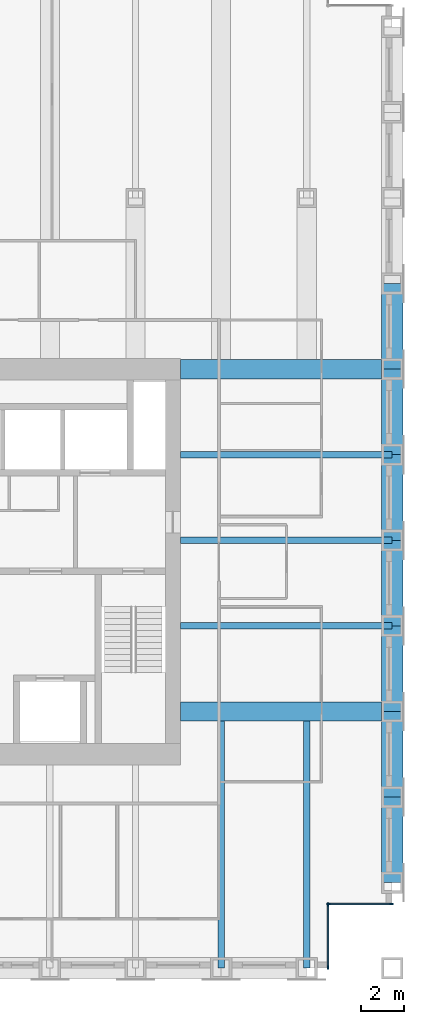
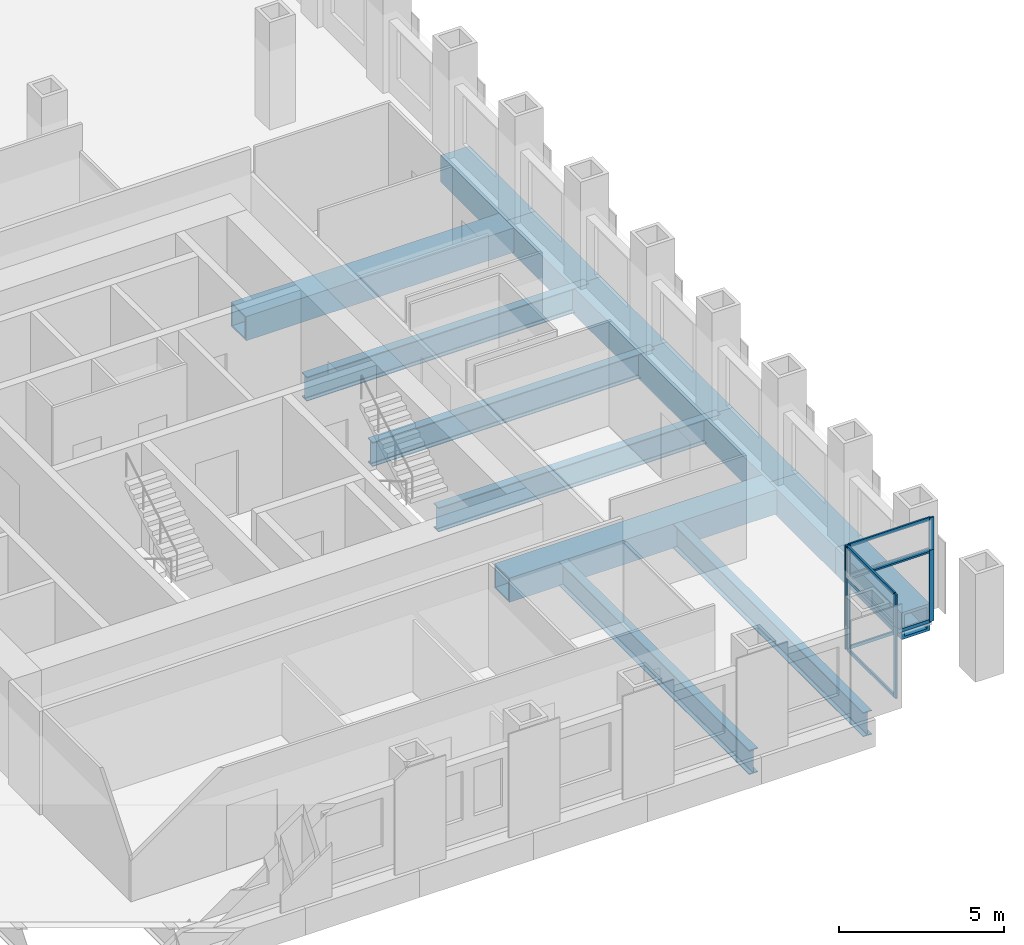
# One storey, part 4 of 13: 16 members, 14 beams, 4 elements without a shape of their own.
"""IFC4 building model written with IfcOpenShell, lengths in metres."""

from ifc_helpers import new_model, si_unit, direction, frame, origin, origin_2d, place, context, subcontext, project, spatial, rectangle, hollow_rectangle, i_section, extrude, material, material_profile, profile_set, type_object, element, aggregate, save


model = new_model("IFC4")

# Units and contexts
model_context = context("Model", 3, precision=1e-05, world=origin(), true_north=direction((0.0, 1.0)))
body_context = subcontext(model_context, "Body", "Model", "MODEL_VIEW")
ifc_project = project(units=[si_unit("LENGTHUNIT", "METRE"), si_unit("AREAUNIT", "SQUARE_METRE"), si_unit("VOLUMEUNIT", "CUBIC_METRE"), si_unit("PLANEANGLEUNIT", "RADIAN"), si_unit("MASSUNIT", "GRAM", prefix="KILO")], contexts=[model_context])

# Site, building, storey
site_placement = place(None, origin())
site = spatial("IfcSite", under=ifc_project, at=site_placement, CompositionType="ELEMENT")
building_placement = place(site_placement, origin())
building = spatial("IfcBuilding", under=site, at=building_placement, Name="Rimbunsela Tower", CompositionType="ELEMENT")
storey_placement = place(building_placement, frame((0.0, 0.0, 199.800048828125)))
storey = spatial("IfcBuildingStorey", under=building, at=storey_placement, Name="L48", CompositionType="ELEMENT", Elevation=199.800048828125)

# Beams
ifc_material_1 = material(Name="Steel BJ 55 (fy 410 MPa)", Category="steel")
ifc_material_profile_1 = material_profile(ifc_material_1, hollow_rectangle(XDim=1.0, YDim=1.0, WallThickness=0.10009765625, at=origin_2d()), Name="BOX 1000x1000x100")
ifc_profile_set_1 = profile_set([ifc_material_profile_1], Name="Steel BJ 55 (fy 410 MPa)")
beam_type_1 = type_object("IfcBeamType", Name="Beam BOX 1000x1000x100", PredefinedType="BEAM", material=ifc_profile_set_1)
for number, where, z_axis, x_axis, name in (
    (1, (46.0, 12.0, -0.650146484375), (0.0, 1.0, 0.0), (-1.0, 0.0, 0.0), "Beam B3 L48"),
    (2, (46.0, 16.0, -0.650146484375), (0.0, 1.0, 0.0), (-1.0, 0.0, 0.0), "Beam B3 L48"),
    (3, (46.0, 20.0, -0.650146484375), (0.0, 1.0, 0.0), (-1.0, 0.0, 0.0), "Beam B3 L48"),
    (4, (46.0, 24.0, -0.650146484375), (0.0, 1.0, 0.0), (-1.0, 0.0, 0.0), "Beam B3 L48"),
    (5, (46.0, 28.0, -0.650146484375), (0.0, 1.0, 0.0), (-1.0, 0.0, 0.0), "Beam B3 L48"),
    (6, (46.0, 32.0, -0.650146484375), (0.0, 1.0, 0.0), (-1.0, 0.0, 0.0), "Beam B3 L48"),
    (7, (46.0, 36.0, -0.650146484375), (0.0, 1.0, 0.0), (-1.0, 0.0, 0.0), "Beam B3 L48"),
):
    element("IfcBeam", number, at=place(storey_placement, frame(where, z_axis=z_axis, x_axis=x_axis)), inside=storey, type_object=beam_type_1, Name=name, PredefinedType="BEAM", context=body_context, shape_type="SweptSolid", body=[
        extrude(hollow_rectangle(XDim=1.0, YDim=1.0, WallThickness=0.10009765625, at=origin_2d()), origin(), (0.0, 0.0, 1.0), 4.0),
    ])
ifc_material_2 = material(Name="Steel BJ 55 (fy 410 MPa)", Category="steel")
ifc_material_profile_2 = material_profile(ifc_material_2, hollow_rectangle(XDim=0.89990234375, YDim=0.89990234375, WallThickness=0.06005859375, at=origin_2d()), Name="BOX 900x900x60")
ifc_profile_set_2 = profile_set([ifc_material_profile_2], Name="Steel BJ 55 (fy 410 MPa)")
beam_type_2 = type_object("IfcBeamType", Name="Beam BOX 900x900x60", PredefinedType="BEAM", material=ifc_profile_set_2)
for number, where, z_axis, x_axis, name in (
    (8, (36.10009765625, 20.0, -0.60009765625), (1.0, 0.0, 0.0), (0.0, 1.0, 0.0), "Beam B1 L48"),
    (9, (36.10009765625, 36.0, -0.60009765625), (1.0, 0.0, 0.0), (0.0, 1.0, 0.0), "Beam B1 L48"),
):
    element("IfcBeam", number, at=place(storey_placement, frame(where, z_axis=z_axis, x_axis=x_axis)), inside=storey, type_object=beam_type_2, Name=name, PredefinedType="BEAM", context=body_context, shape_type="SweptSolid", body=[
        extrude(hollow_rectangle(XDim=0.89990234375, YDim=0.89990234375, WallThickness=0.06005859375, at=origin_2d()), origin(), (0.0, 0.0, 1.0), 9.89990234375),
    ])
ifc_material_3 = material(Name="Steel BJ 55 (fy 410 MPa)", Category="steel")
ifc_material_profile_3 = material_profile(ifc_material_3, i_section(OverallWidth=0.300048828125, OverallDepth=0.89990234375, WebThickness=0.01611328125, FlangeThickness=0.028076171875, FilletRadius=0.028076171875, at=origin_2d()), Name="H 900x300x16x28")
ifc_profile_set_3 = profile_set([ifc_material_profile_3], Name="Steel BJ 55 (fy 410 MPa)")
beam_type_3 = type_object("IfcBeamType", Name="Beam H 900x300x16x28", PredefinedType="BEAM", material=ifc_profile_set_3)
for number, where, z_axis, x_axis, name in (
    (10, (36.10009765625, 24.0, -0.60009765625), (1.0, 0.0, 0.0), (0.0, 1.0, 0.0), "Beam B2 L48"),
    (11, (36.10009765625, 28.0, -0.60009765625), (1.0, 0.0, 0.0), (0.0, 1.0, 0.0), "Beam B2 L48"),
    (12, (36.10009765625, 32.0, -0.60009765625), (1.0, 0.0, 0.0), (0.0, 1.0, 0.0), "Beam B2 L48"),
):
    element("IfcBeam", number, at=place(storey_placement, frame(where, z_axis=z_axis, x_axis=x_axis)), inside=storey, type_object=beam_type_3, Name=name, PredefinedType="BEAM", context=body_context, shape_type="SweptSolid", body=[
        extrude(i_section(OverallWidth=0.300048828125, OverallDepth=0.89990234375, WebThickness=0.01611328125, FlangeThickness=0.028076171875, FilletRadius=0.028076171875, at=origin_2d()), origin(), (0.0, 0.0, 1.0), 9.89990234375),
    ])
for number, where, z_axis, x_axis, name in (
    (13, (38.0, 8.0, -0.60009765625), (0.0, 1.0, 0.0), (-1.0, 0.0, 0.0), "Beam B2 L48"),
    (14, (42.0, 8.0, -0.60009765625), (0.0, 1.0, 0.0), (-1.0, 0.0, 0.0), "Beam B2 L48"),
):
    element("IfcBeam", number, at=place(storey_placement, frame(where, z_axis=z_axis, x_axis=x_axis)), inside=storey, type_object=beam_type_3, Name=name, PredefinedType="BEAM", context=body_context, shape_type="SweptSolid", body=[
        extrude(i_section(OverallWidth=0.300048828125, OverallDepth=0.89990234375, WebThickness=0.01611328125, FlangeThickness=0.028076171875, FilletRadius=0.028076171875, at=origin_2d()), origin(), (0.0, 0.0, 1.0), 11.550048828125),
    ])

# Curtain wall, members
ifc_material_4 = material(Name="Aluminium curtain wall", Category="aluminium")
curtain_wall_type_1 = type_object("IfcCurtainWallType", Name="Corner glazing", PredefinedType="USERDEFINED", material=ifc_material_4)
curtain_wall_1_placement = place(storey_placement, origin())
curtain_wall_1 = element("IfcCurtainWall", 15, at=curtain_wall_1_placement, inside=storey, type_object=curtain_wall_type_1, Name="Corner glazing L48", ObjectType="CORNER GLAZING", PredefinedType="USERDEFINED")
ifc_material_5 = material(Name="Aluminium mullion", Category="aluminium")
ifc_material_profile_4 = material_profile(ifc_material_5, rectangle(XDim=0.06005859375, YDim=0.159912109375, at=origin_2d()), Name="Mullion 60x160")
ifc_profile_set_4 = profile_set([ifc_material_profile_4], Name="Aluminium mullion")
member_type_1 = type_object("IfcMemberType", Name="Curtain wall mullion 60x160", PredefinedType="MULLION", material=ifc_profile_set_4)
member_1_placement = place(storey_placement, frame((43.0, 8.030029296875, 0.0), z_axis=(0.0, 0.0, 1.0), x_axis=(-1.0, 0.0, 0.0)))
member_1 = element("IfcMember", 16, at=member_1_placement, type_object=member_type_1, Name="CW5 mullion 1", PredefinedType="MULLION", context=body_context, shape_type="SweptSolid", body=[
    extrude(rectangle(XDim=0.06005859375, YDim=0.159912109375, at=origin_2d()), origin(), (0.0, 0.0, 1.0), 2.64990234375),
])
member_2_placement = place(storey_placement, frame((43.0, 10.969970703125, 0.0), z_axis=(0.0, 0.0, 1.0), x_axis=(-1.0, 0.0, 0.0)))
member_2 = element("IfcMember", 17, at=member_2_placement, type_object=member_type_1, Name="CW5 mullion 2", PredefinedType="MULLION", context=body_context, shape_type="SweptSolid", body=[
    extrude(rectangle(XDim=0.06005859375, YDim=0.159912109375, at=origin_2d()), origin(), (0.0, 0.0, 1.0), 2.64990234375),
])

ifc_material_6 = material(Name="Aluminium curtain wall", Category="aluminium")
curtain_wall_type_2 = type_object("IfcCurtainWallType", Name="Spandrel wall", PredefinedType="USERDEFINED", material=ifc_material_6)
curtain_wall_2_placement = place(storey_placement, origin())
curtain_wall_2 = element("IfcCurtainWall", 18, at=curtain_wall_2_placement, inside=storey, type_object=curtain_wall_type_2, Name="Spandrel wall L48", ObjectType="SPANDREL WALL", PredefinedType="USERDEFINED")
member_3_placement = place(storey_placement, frame((43.0, 8.030029296875, 2.64990234375), z_axis=(0.0, 0.0, 1.0), x_axis=(-1.0, 0.0, 0.0)))
member_3 = element("IfcMember", 19, at=member_3_placement, type_object=member_type_1, Name="CW7 mullion 1", PredefinedType="MULLION", context=body_context, shape_type="SweptSolid", body=[
    extrude(rectangle(XDim=0.06005859375, YDim=0.159912109375, at=origin_2d()), origin(), (0.0, 0.0, 1.0), 1.199951171875),
])
member_4_placement = place(storey_placement, frame((43.0, 10.969970703125, 2.64990234375), z_axis=(0.0, 0.0, 1.0), x_axis=(-1.0, 0.0, 0.0)))
member_4 = element("IfcMember", 20, at=member_4_placement, type_object=member_type_1, Name="CW7 mullion 2", PredefinedType="MULLION", context=body_context, shape_type="SweptSolid", body=[
    extrude(rectangle(XDim=0.06005859375, YDim=0.159912109375, at=origin_2d()), origin(), (0.0, 0.0, 1.0), 1.199951171875),
])

curtain_wall_3_placement = place(storey_placement, origin())
curtain_wall_3 = element("IfcCurtainWall", 21, at=curtain_wall_3_placement, inside=storey, type_object=curtain_wall_type_1, Name="Corner glazing L48", ObjectType="CORNER GLAZING", PredefinedType="USERDEFINED")
member_5_placement = place(storey_placement, frame((43.030029296875, 11.0, 0.0), z_axis=(0.0, 0.0, 1.0), x_axis=(0.0, 1.0, 0.0)))
member_5 = element("IfcMember", 22, at=member_5_placement, type_object=member_type_1, Name="CW5 mullion 1", PredefinedType="MULLION", context=body_context, shape_type="SweptSolid", body=[
    extrude(rectangle(XDim=0.06005859375, YDim=0.159912109375, at=origin_2d()), origin(), (0.0, 0.0, 1.0), 2.64990234375),
])
member_6_placement = place(storey_placement, frame((45.969970703125, 11.0, 0.0), z_axis=(0.0, 0.0, 1.0), x_axis=(0.0, 1.0, 0.0)))
member_6 = element("IfcMember", 23, at=member_6_placement, type_object=member_type_1, Name="CW5 mullion 2", PredefinedType="MULLION", context=body_context, shape_type="SweptSolid", body=[
    extrude(rectangle(XDim=0.06005859375, YDim=0.159912109375, at=origin_2d()), origin(), (0.0, 0.0, 1.0), 2.64990234375),
])

curtain_wall_4_placement = place(storey_placement, origin())
curtain_wall_4 = element("IfcCurtainWall", 24, at=curtain_wall_4_placement, inside=storey, type_object=curtain_wall_type_2, Name="Spandrel wall L48", ObjectType="SPANDREL WALL", PredefinedType="USERDEFINED")
member_7_placement = place(storey_placement, frame((43.030029296875, 11.0, 2.64990234375), z_axis=(0.0, 0.0, 1.0), x_axis=(0.0, 1.0, 0.0)))
member_7 = element("IfcMember", 25, at=member_7_placement, type_object=member_type_1, Name="CW7 mullion 1", PredefinedType="MULLION", context=body_context, shape_type="SweptSolid", body=[
    extrude(rectangle(XDim=0.06005859375, YDim=0.159912109375, at=origin_2d()), origin(), (0.0, 0.0, 1.0), 1.199951171875),
])
member_8_placement = place(storey_placement, frame((45.969970703125, 11.0, 2.64990234375), z_axis=(0.0, 0.0, 1.0), x_axis=(0.0, 1.0, 0.0)))
member_8 = element("IfcMember", 26, at=member_8_placement, type_object=member_type_1, Name="CW7 mullion 2", PredefinedType="MULLION", context=body_context, shape_type="SweptSolid", body=[
    extrude(rectangle(XDim=0.06005859375, YDim=0.159912109375, at=origin_2d()), origin(), (0.0, 0.0, 1.0), 1.199951171875),
])

# Member
ifc_material_7 = material(Name="Aluminium transom", Category="aluminium")
ifc_material_profile_5 = material_profile(ifc_material_7, rectangle(XDim=0.06005859375, YDim=0.1201171875, at=origin_2d()), Name="Transom 60x120")
ifc_profile_set_5 = profile_set([ifc_material_profile_5], Name="Aluminium transom")
member_type_2 = type_object("IfcMemberType", Name="Curtain wall transom 60x120", PredefinedType="USERDEFINED", material=ifc_profile_set_5)
member_9_placement = place(storey_placement, frame((43.0, 8.06005859375, 0.030029296875), z_axis=(0.0, 1.0, 0.0), x_axis=(-1.0, 0.0, 0.0)))
member_9 = element("IfcMember", 27, at=member_9_placement, type_object=member_type_2, Name="CW5 transom 1.1", ObjectType="TRANSOM", PredefinedType="USERDEFINED", context=body_context, shape_type="SweptSolid", body=[
    extrude(rectangle(XDim=0.06005859375, YDim=0.1201171875, at=origin_2d()), origin(), (0.0, 0.0, 1.0), 2.8798828125),
])

member_10_placement = place(storey_placement, frame((43.0, 8.06005859375, 2.619873046875), z_axis=(0.0, 1.0, 0.0), x_axis=(-1.0, 0.0, 0.0)))
member_10 = element("IfcMember", 28, at=member_10_placement, type_object=member_type_2, Name="CW5 transom 1.2", ObjectType="TRANSOM", PredefinedType="USERDEFINED", context=body_context, shape_type="SweptSolid", body=[
    extrude(rectangle(XDim=0.06005859375, YDim=0.1201171875, at=origin_2d()), origin(), (0.0, 0.0, 1.0), 2.8798828125),
])

aggregate(curtain_wall_1, [member_1, member_2, member_9, member_10])

member_11_placement = place(storey_placement, frame((43.0, 8.06005859375, 2.679931640625), z_axis=(0.0, 1.0, 0.0), x_axis=(-1.0, 0.0, 0.0)))
member_11 = element("IfcMember", 29, at=member_11_placement, type_object=member_type_2, Name="CW7 transom 1.1", ObjectType="TRANSOM", PredefinedType="USERDEFINED", context=body_context, shape_type="SweptSolid", body=[
    extrude(rectangle(XDim=0.06005859375, YDim=0.1201171875, at=origin_2d()), origin(), (0.0, 0.0, 1.0), 2.8798828125),
])

member_12_placement = place(storey_placement, frame((43.0, 8.06005859375, 3.820068359375), z_axis=(0.0, 1.0, 0.0), x_axis=(-1.0, 0.0, 0.0)))
member_12 = element("IfcMember", 30, at=member_12_placement, type_object=member_type_2, Name="CW7 transom 1.2", ObjectType="TRANSOM", PredefinedType="USERDEFINED", context=body_context, shape_type="SweptSolid", body=[
    extrude(rectangle(XDim=0.06005859375, YDim=0.1201171875, at=origin_2d()), origin(), (0.0, 0.0, 1.0), 2.8798828125),
])

aggregate(curtain_wall_2, [member_3, member_4, member_11, member_12])

member_13_placement = place(storey_placement, frame((43.06005859375, 11.0, 0.030029296875), z_axis=(1.0, 0.0, 0.0), x_axis=(0.0, 1.0, 0.0)))
member_13 = element("IfcMember", 31, at=member_13_placement, type_object=member_type_2, Name="CW5 transom 1.1", ObjectType="TRANSOM", PredefinedType="USERDEFINED", context=body_context, shape_type="SweptSolid", body=[
    extrude(rectangle(XDim=0.06005859375, YDim=0.1201171875, at=origin_2d()), origin(), (0.0, 0.0, 1.0), 2.8798828125),
])

member_14_placement = place(storey_placement, frame((43.06005859375, 11.0, 2.619873046875), z_axis=(1.0, 0.0, 0.0), x_axis=(0.0, 1.0, 0.0)))
member_14 = element("IfcMember", 32, at=member_14_placement, type_object=member_type_2, Name="CW5 transom 1.2", ObjectType="TRANSOM", PredefinedType="USERDEFINED", context=body_context, shape_type="SweptSolid", body=[
    extrude(rectangle(XDim=0.06005859375, YDim=0.1201171875, at=origin_2d()), origin(), (0.0, 0.0, 1.0), 2.8798828125),
])

aggregate(curtain_wall_3, [member_5, member_6, member_13, member_14])

member_15_placement = place(storey_placement, frame((43.06005859375, 11.0, 2.679931640625), z_axis=(1.0, 0.0, 0.0), x_axis=(0.0, 1.0, 0.0)))
member_15 = element("IfcMember", 33, at=member_15_placement, type_object=member_type_2, Name="CW7 transom 1.1", ObjectType="TRANSOM", PredefinedType="USERDEFINED", context=body_context, shape_type="SweptSolid", body=[
    extrude(rectangle(XDim=0.06005859375, YDim=0.1201171875, at=origin_2d()), origin(), (0.0, 0.0, 1.0), 2.8798828125),
])

member_16_placement = place(storey_placement, frame((43.06005859375, 11.0, 3.820068359375), z_axis=(1.0, 0.0, 0.0), x_axis=(0.0, 1.0, 0.0)))
member_16 = element("IfcMember", 34, at=member_16_placement, type_object=member_type_2, Name="CW7 transom 1.2", ObjectType="TRANSOM", PredefinedType="USERDEFINED", context=body_context, shape_type="SweptSolid", body=[
    extrude(rectangle(XDim=0.06005859375, YDim=0.1201171875, at=origin_2d()), origin(), (0.0, 0.0, 1.0), 2.8798828125),
])

aggregate(curtain_wall_4, [member_7, member_8, member_15, member_16])

save(model, "model.ifc")
